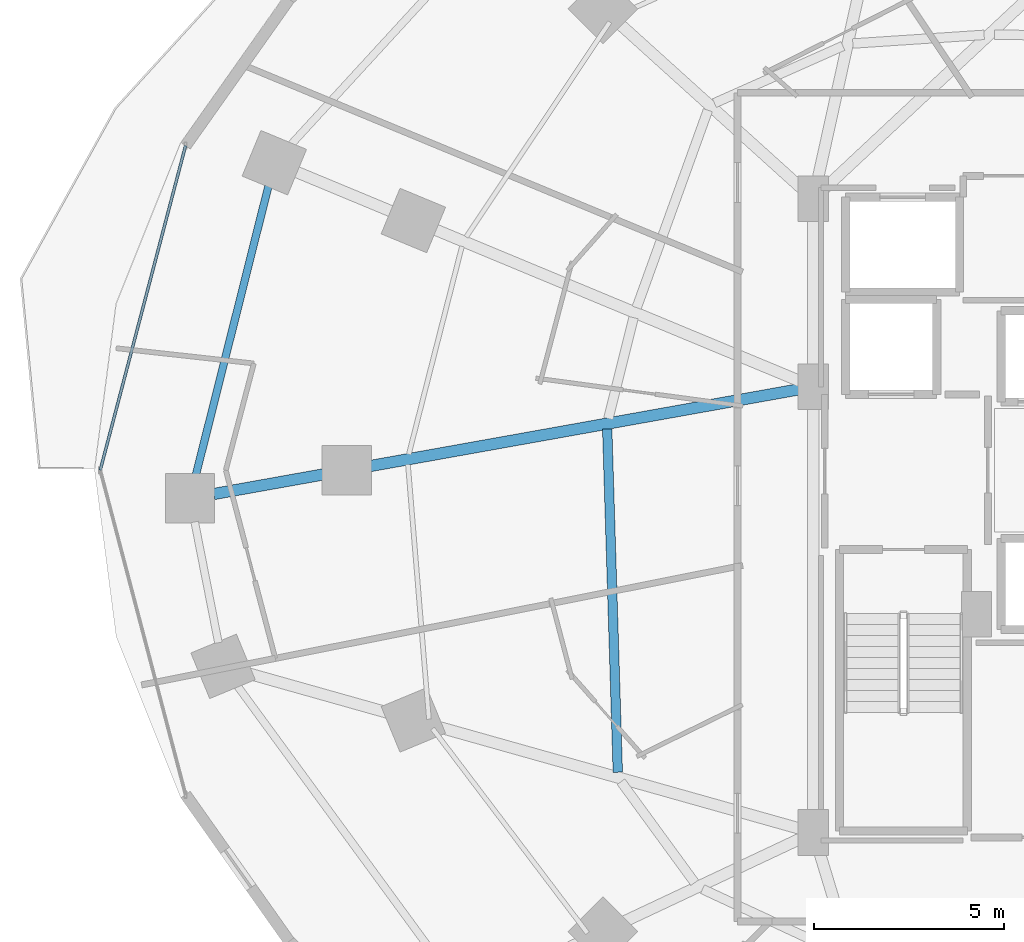
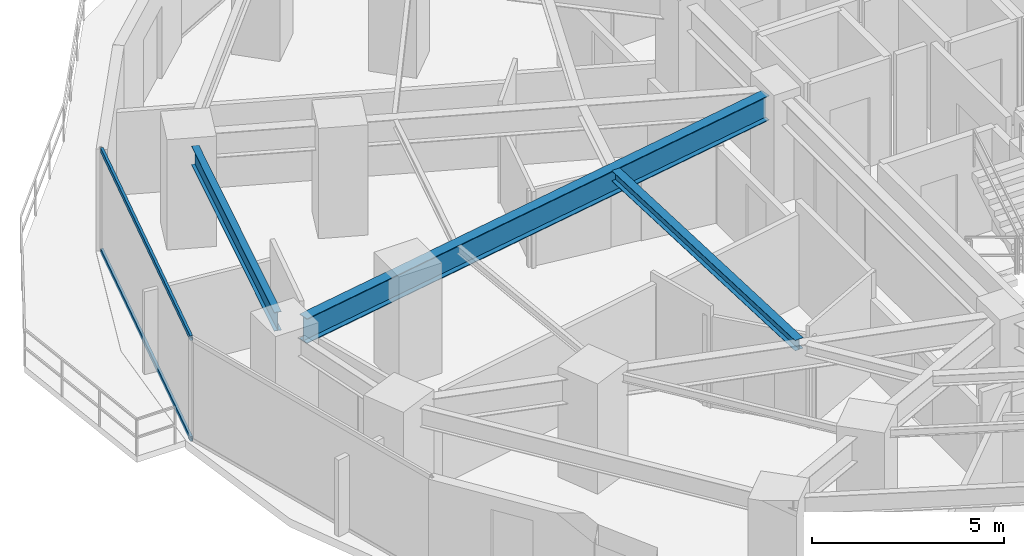
# One storey, part 9 of 35: 3 beams, 2 members, 1 element without a shape of its own.
"""IFC4 building model written with IfcOpenShell, lengths in metres."""

from ifc_helpers import new_model, si_unit, direction, frame, origin, origin_2d, place, context, subcontext, project, spatial, hollow_rectangle, i_section, extrude, material, material_profile, profile_set, type_object, element, aggregate, save


model = new_model("IFC4")

# Units and contexts
model_context = context("Model", 3, precision=1e-05, world=origin(), true_north=direction((0.0, 1.0)))
body_context = subcontext(model_context, "Body", "Model", "MODEL_VIEW")
ifc_project = project(units=[si_unit("LENGTHUNIT", "METRE"), si_unit("AREAUNIT", "SQUARE_METRE"), si_unit("VOLUMEUNIT", "CUBIC_METRE"), si_unit("PLANEANGLEUNIT", "RADIAN"), si_unit("MASSUNIT", "GRAM", prefix="KILO")], contexts=[model_context])

# Site, building, storey
site_placement = place(None, origin())
site = spatial("IfcSite", under=ifc_project, at=site_placement, CompositionType="ELEMENT")
building_placement = place(site_placement, origin())
building = spatial("IfcBuilding", under=site, at=building_placement, Name="Vorneva Point Tower", CompositionType="ELEMENT")
storey_placement = place(building_placement, frame((0.0, 0.0, 45.0)))
storey = spatial("IfcBuildingStorey", under=building, at=storey_placement, Name="L11", CompositionType="ELEMENT", Elevation=45.0)

# Beams
ifc_material_1 = material(Name="Steel S355", Category="steel")
ifc_material_profile_1 = material_profile(ifc_material_1, i_section(OverallWidth=0.300048828125, OverallDepth=0.7880859375, WebThickness=0.014404296875, FlangeThickness=0.02197265625, at=origin_2d()), Name="80Sh1")
ifc_profile_set_1 = profile_set([ifc_material_profile_1], Name="Steel S355")
beam_type_1 = type_object("IfcBeamType", Name="BM-GRD-80Sh1", PredefinedType="USERDEFINED", material=ifc_profile_set_1)
beam_1_placement = place(storey_placement, frame((11.44580078125, 25.373291015625, 2.845947265625), z_axis=(0.984378664832, 0.176064318428, 0.0), x_axis=(-0.176064318428, 0.984378664832, 0.0)))
element("IfcBeam", 1, at=beam_1_placement, inside=storey, type_object=beam_type_1, Name="L11 Radial Primary Girder 09", ObjectType="GIRDER", PredefinedType="USERDEFINED", context=body_context, shape_type="SweptSolid", body=[
    extrude(i_section(OverallWidth=0.300048828125, OverallDepth=0.7880859375, WebThickness=0.014404296875, FlangeThickness=0.02197265625, at=origin_2d()), origin(), (0.0, 0.0, 1.0), 15.715087890625),
])
ifc_material_profile_2 = material_profile(ifc_material_1, i_section(OverallWidth=0.2490234375, OverallDepth=0.333984375, WebThickness=0.008056640625, FlangeThickness=0.010986328125, at=origin_2d()), Name="35Sh1")
ifc_profile_set_2 = profile_set([ifc_material_profile_2], Name="Steel S355")
beam_type_2 = type_object("IfcBeamType", Name="BM-SEC-35Sh1", PredefinedType="BEAM", material=ifc_profile_set_2)
beam_2_placement = place(storey_placement, frame((21.814697265625, 27.089111328125, 3.072998046875), z_axis=(0.03081558975, -0.999525086943, 0.0), x_axis=(0.999525086943, 0.03081558975, 0.0)))
element("IfcBeam", 2, at=beam_2_placement, inside=storey, type_object=beam_type_2, Name="L11 Secondary Floor Beam 2.09", PredefinedType="BEAM", context=body_context, shape_type="SweptSolid", body=[
    extrude(i_section(OverallWidth=0.2490234375, OverallDepth=0.333984375, WebThickness=0.008056640625, FlangeThickness=0.010986328125, at=origin_2d()), origin(), (0.0, 0.0, 1.0), 9.0556640625),
])
ifc_material_profile_3 = material_profile(ifc_material_1, i_section(OverallWidth=0.198974609375, OverallDepth=0.595947265625, WebThickness=0.010009765625, FlangeThickness=0.014892578125, at=origin_2d()), Name="60B1")
ifc_profile_set_3 = profile_set([ifc_material_profile_3], Name="Steel S355")
beam_type_3 = type_object("IfcBeamType", Name="BM-SPN-60B1", PredefinedType="SPANDREL", material=ifc_profile_set_3)
beam_3_placement = place(storey_placement, frame((12.884521484375, 33.489501953125, 2.94189453125), z_axis=(-0.243574722416, -0.969882134385, 0.0), x_axis=(0.969882134385, -0.243574722416, 0.0)))
element("IfcBeam", 3, at=beam_3_placement, inside=storey, type_object=beam_type_3, Name="L11 Perimeter Spandrel Ring Beam 08", PredefinedType="SPANDREL", context=body_context, shape_type="SweptSolid", body=[
    extrude(i_section(OverallWidth=0.198974609375, OverallDepth=0.595947265625, WebThickness=0.010009765625, FlangeThickness=0.014892578125, at=origin_2d()), origin(), (0.0, 0.0, 1.0), 7.84912109375),
])

# Curtain wall, members
ifc_material_2 = material(Name="Pale anodised aluminium", Category="aluminium")
curtain_wall_type = type_object("IfcCurtainWallType", Name="CW-HTL-SYS", PredefinedType="NOTDEFINED", material=ifc_material_2)
curtain_wall_placement = place(storey_placement, origin())
curtain_wall = element("IfcCurtainWall", 4, at=curtain_wall_placement, inside=storey, type_object=curtain_wall_type, Name="L11 Unitised Curtain Wall CW-L11-R03", PredefinedType="NOTDEFINED")
ifc_material_profile_4 = material_profile(ifc_material_2, hollow_rectangle(XDim=0.074951171875, YDim=0.14990234375, WallThickness=0.00390625, at=origin_2d()), Name="AL-TRN 150x75x4")
ifc_profile_set_4 = profile_set([ifc_material_profile_4], Name="Pale anodised aluminium")
member_type = type_object("IfcMemberType", Name="CW-TRN-150", PredefinedType="USERDEFINED", material=ifc_profile_set_4)
member_1_placement = place(storey_placement, frame((10.699462890625, 34.552978515625, 0.02001953125), z_axis=(-0.254358772746, -0.967109928978, 0.0), x_axis=(0.967109928978, -0.254358772746, 0.0)))
member_1 = element("IfcMember", 5, at=member_1_placement, type_object=member_type, Name="CW-L11-R03 Transom 01.1", ObjectType="TRANSOM", PredefinedType="USERDEFINED", context=body_context, shape_type="SweptSolid", body=[
    extrude(hollow_rectangle(XDim=0.074951171875, YDim=0.14990234375, WallThickness=0.00390625, at=origin_2d()), origin(), (0.0, 0.0, 1.0), 8.84375),
])
member_2_placement = place(storey_placement, frame((10.699462890625, 34.552978515625, 3.219970703125), z_axis=(-0.254358772746, -0.967109928978, 0.0), x_axis=(0.967109928978, -0.254358772746, 0.0)))
member_2 = element("IfcMember", 6, at=member_2_placement, type_object=member_type, Name="CW-L11-R03 Transom 01.2", ObjectType="TRANSOM", PredefinedType="USERDEFINED", context=body_context, shape_type="SweptSolid", body=[
    extrude(hollow_rectangle(XDim=0.074951171875, YDim=0.14990234375, WallThickness=0.00390625, at=origin_2d()), origin(), (0.0, 0.0, 1.0), 8.84375),
])
aggregate(curtain_wall, [member_1, member_2])

save(model, "model.ifc")
